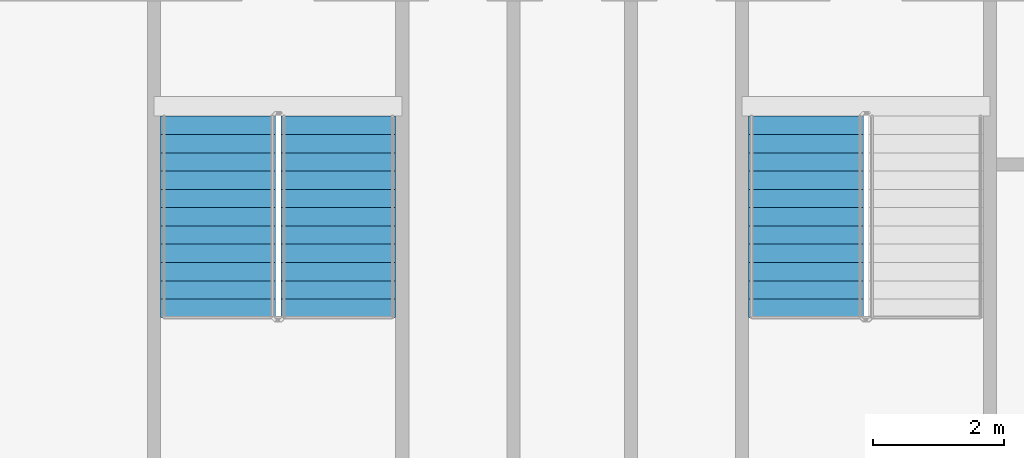
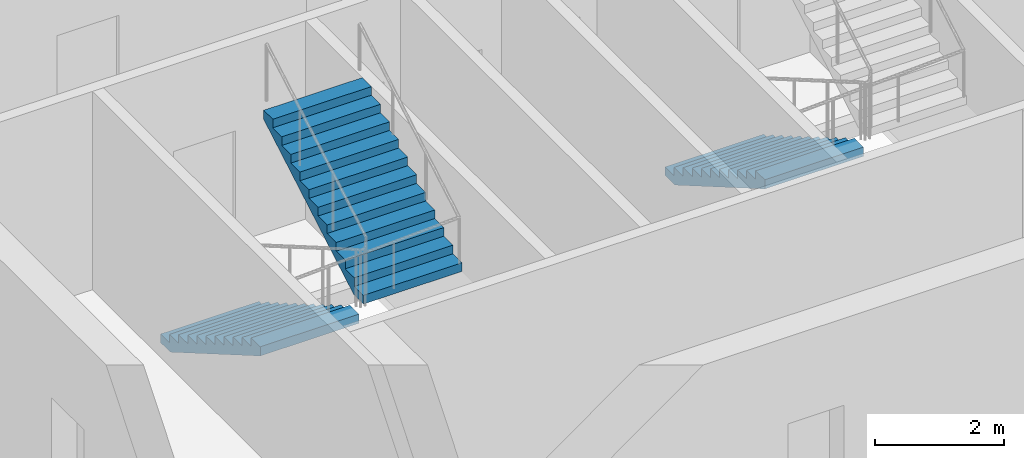
# One storey, part 7 of 14: 3 stair flights, 2 elements without a shape of their own.
"""IFC4 building model written with IfcOpenShell, lengths in metres."""

from ifc_helpers import new_model, si_unit, direction, frame, origin, place, context, subcontext, project, spatial, faceted_brep, material, type_object, element, aggregate, save


model = new_model("IFC4")

# Units and contexts
model_context = context("Model", 3, precision=1e-05, world=origin(), true_north=direction((0.0, 1.0)))
body_context = subcontext(model_context, "Body", "Model", "MODEL_VIEW")
ifc_project = project(units=[si_unit("LENGTHUNIT", "METRE"), si_unit("AREAUNIT", "SQUARE_METRE"), si_unit("VOLUMEUNIT", "CUBIC_METRE"), si_unit("PLANEANGLEUNIT", "RADIAN"), si_unit("MASSUNIT", "GRAM", prefix="KILO")], contexts=[model_context])

# Site, building, storey
site_placement = place(None, origin())
site = spatial("IfcSite", under=ifc_project, at=site_placement, CompositionType="ELEMENT")
building_placement = place(site_placement, origin())
building = spatial("IfcBuilding", under=site, at=building_placement, Name="Tarsis Ring Headquarters", CompositionType="ELEMENT")
storey_placement = place(building_placement, frame((0.0, 0.0, 311.89990234375)))
storey = spatial("IfcBuildingStorey", under=building, at=storey_placement, Name="L73", CompositionType="ELEMENT", Elevation=311.89990234375)

# Stair, stair flights
ifc_material_1 = material(Name="Core stair 1760")
stair_type = type_object("IfcStairType", Name="Core stair 1760", PredefinedType="HALF_TURN_STAIR", material=ifc_material_1)
stair_1_placement = place(storey_placement, origin())
stair_1 = element("IfcStair", 1, at=stair_1_placement, inside=storey, type_object=stair_type, Name="L73 Exit stair C", PredefinedType="HALF_TURN_STAIR")
ifc_material_2 = material(Name="Concrete C40/50", Category="concrete")
stair_flight_type = type_object("IfcStairFlightType", Name="Core stair flight 1760", PredefinedType="STRAIGHT", material=ifc_material_2)
stair_flight_1_placement = place(storey_placement, frame((-5.419921875, -3.659912109375, 0.0), z_axis=(0.0, 0.0, 1.0), x_axis=(0.0, -1.0, 0.0)))
stair_flight_1 = element("IfcStairFlight", 2, at=stair_flight_1_placement, type_object=stair_flight_type, Name="Stair ST3 flight 1", NumberOfRisers=12, NumberOfTreads=11, PredefinedType="STRAIGHT", RiserHeight=0.1625, TreadLength=0.28, context=body_context, shape_type="Brep", body=[
    faceted_brep([(0.0, 0.8798828125, 0.0), (0.0, 0.8798828125, 0.16259765625), (0.280029296875, 0.8798828125, 0.16259765625), (0.280029296875, 0.8798828125, 0.324951171875), (0.56005859375, 0.8798828125, 0.324951171875), (0.56005859375, 0.8798828125, 0.487548828125), (0.840087890625, 0.8798828125, 0.487548828125), (0.840087890625, 0.8798828125, 0.64990234375), (1.1201171875, 0.8798828125, 0.64990234375), (1.1201171875, 0.8798828125, 0.8125), (1.39990234375, 0.8798828125, 0.8125), (1.39990234375, 0.8798828125, 0.97509765625), (1.679931640625, 0.8798828125, 0.97509765625), (1.679931640625, 0.8798828125, 1.137451171875), (1.9599609375, 0.8798828125, 1.137451171875), (1.9599609375, 0.8798828125, 1.300048828125), (2.239990234375, 0.8798828125, 1.300048828125), (2.239990234375, 0.8798828125, 1.46240234375), (2.52001953125, 0.8798828125, 1.46240234375), (2.52001953125, 0.8798828125, 1.625), (2.800048828125, 0.8798828125, 1.625), (2.800048828125, 0.8798828125, 1.78759765625), (3.080078125, 0.8798828125, 1.78759765625), (3.080078125, 0.8798828125, 1.6142578125), (0.298583984375, 0.8798828125, 0.0), (0.298583984375, -0.8798828125, 0.0), (3.080078125, -0.8798828125, 1.6142578125), (3.080078125, -0.8798828125, 1.78759765625), (2.800048828125, -0.8798828125, 1.78759765625), (2.800048828125, -0.8798828125, 1.625), (2.52001953125, -0.8798828125, 1.625), (2.52001953125, -0.8798828125, 1.46240234375), (2.239990234375, -0.8798828125, 1.46240234375), (2.239990234375, -0.8798828125, 1.300048828125), (1.9599609375, -0.8798828125, 1.300048828125), (1.9599609375, -0.8798828125, 1.137451171875), (1.679931640625, -0.8798828125, 1.137451171875), (1.679931640625, -0.8798828125, 0.97509765625), (1.39990234375, -0.8798828125, 0.97509765625), (1.39990234375, -0.8798828125, 0.8125), (1.1201171875, -0.8798828125, 0.8125), (1.1201171875, -0.8798828125, 0.64990234375), (0.840087890625, -0.8798828125, 0.64990234375), (0.840087890625, -0.8798828125, 0.487548828125), (0.56005859375, -0.8798828125, 0.487548828125), (0.56005859375, -0.8798828125, 0.324951171875), (0.280029296875, -0.8798828125, 0.324951171875), (0.280029296875, -0.8798828125, 0.16259765625), (0.0, -0.8798828125, 0.16259765625), (0.0, -0.8798828125, 0.0), (0.0, -0.43994140625, 0.16259765625), (0.0, -0.43994140625, 0.0), (0.0, 0.0, 0.16259765625), (0.0, 0.0, 0.0), (0.0, 0.43994140625, 0.16259765625), (0.0, 0.43994140625, 0.0), (0.280029296875, -0.43994140625, 0.16259765625), (0.280029296875, 0.0, 0.16259765625), (0.280029296875, 0.43994140625, 0.16259765625), (0.280029296875, -0.43994140625, 0.324951171875), (0.280029296875, 0.0, 0.324951171875), (0.280029296875, 0.43994140625, 0.324951171875), (0.56005859375, -0.43994140625, 0.324951171875), (0.56005859375, 0.0, 0.324951171875), (0.56005859375, 0.43994140625, 0.324951171875), (0.56005859375, -0.43994140625, 0.487548828125), (0.56005859375, 0.0, 0.487548828125), (0.56005859375, 0.43994140625, 0.487548828125), (0.840087890625, -0.43994140625, 0.487548828125), (0.840087890625, 0.0, 0.487548828125), (0.840087890625, 0.43994140625, 0.487548828125), (0.840087890625, -0.43994140625, 0.64990234375), (0.840087890625, 0.0, 0.64990234375), (0.840087890625, 0.43994140625, 0.64990234375), (1.1201171875, -0.43994140625, 0.64990234375), (1.1201171875, 0.0, 0.64990234375), (1.1201171875, 0.43994140625, 0.64990234375), (1.1201171875, -0.43994140625, 0.8125), (1.1201171875, 0.0, 0.8125), (1.1201171875, 0.43994140625, 0.8125), (1.39990234375, -0.43994140625, 0.8125), (1.39990234375, 0.0, 0.8125), (1.39990234375, 0.43994140625, 0.8125), (1.39990234375, -0.43994140625, 0.97509765625), (1.39990234375, 0.0, 0.97509765625), (1.39990234375, 0.43994140625, 0.97509765625), (1.679931640625, -0.43994140625, 0.97509765625), (1.679931640625, 0.0, 0.97509765625), (1.679931640625, 0.43994140625, 0.97509765625), (1.679931640625, -0.43994140625, 1.137451171875), (1.679931640625, 0.0, 1.137451171875), (1.679931640625, 0.43994140625, 1.137451171875), (1.9599609375, -0.43994140625, 1.137451171875), (1.9599609375, 0.0, 1.137451171875), (1.9599609375, 0.43994140625, 1.137451171875), (1.9599609375, -0.43994140625, 1.300048828125), (1.9599609375, 0.0, 1.300048828125), (1.9599609375, 0.43994140625, 1.300048828125), (2.239990234375, -0.43994140625, 1.300048828125), (2.239990234375, 0.0, 1.300048828125), (2.239990234375, 0.43994140625, 1.300048828125), (2.239990234375, -0.43994140625, 1.46240234375), (2.239990234375, 0.0, 1.46240234375), (2.239990234375, 0.43994140625, 1.46240234375), (2.52001953125, -0.43994140625, 1.46240234375), (2.52001953125, 0.0, 1.46240234375), (2.52001953125, 0.43994140625, 1.46240234375), (2.52001953125, -0.43994140625, 1.625), (2.52001953125, 0.0, 1.625), (2.52001953125, 0.43994140625, 1.625), (2.800048828125, -0.43994140625, 1.625), (2.800048828125, 0.0, 1.625), (2.800048828125, 0.43994140625, 1.625), (2.800048828125, -0.43994140625, 1.78759765625), (2.800048828125, 0.0, 1.78759765625), (2.800048828125, 0.43994140625, 1.78759765625), (3.080078125, -0.43994140625, 1.78759765625), (3.080078125, 0.0, 1.78759765625), (3.080078125, 0.43994140625, 1.78759765625), (3.080078125, -0.43994140625, 1.6142578125), (3.080078125, 0.0, 1.6142578125), (3.080078125, 0.43994140625, 1.6142578125), (0.298583984375, -0.43994140625, 0.0), (0.298583984375, 0.0, 0.0), (0.298583984375, 0.43994140625, 0.0)], [[[0, 1, 2, 3, 4, 5, 6, 7, 8, 9, 10, 11, 12, 13, 14, 15, 16, 17, 18, 19, 20, 21, 22, 23, 24]], [[25, 26, 27, 28, 29, 30, 31, 32, 33, 34, 35, 36, 37, 38, 39, 40, 41, 42, 43, 44, 45, 46, 47, 48, 49]], [[49, 48, 50, 51]], [[51, 50, 52, 53]], [[53, 52, 54, 55]], [[55, 54, 1, 0]], [[48, 47, 56, 50]], [[50, 56, 57, 52]], [[52, 57, 58, 54]], [[54, 58, 2, 1]], [[47, 46, 59, 56]], [[56, 59, 60, 57]], [[57, 60, 61, 58]], [[58, 61, 3, 2]], [[46, 45, 62, 59]], [[59, 62, 63, 60]], [[60, 63, 64, 61]], [[61, 64, 4, 3]], [[45, 44, 65, 62]], [[62, 65, 66, 63]], [[63, 66, 67, 64]], [[64, 67, 5, 4]], [[44, 43, 68, 65]], [[65, 68, 69, 66]], [[66, 69, 70, 67]], [[67, 70, 6, 5]], [[43, 42, 71, 68]], [[68, 71, 72, 69]], [[69, 72, 73, 70]], [[70, 73, 7, 6]], [[42, 41, 74, 71]], [[71, 74, 75, 72]], [[72, 75, 76, 73]], [[73, 76, 8, 7]], [[41, 40, 77, 74]], [[74, 77, 78, 75]], [[75, 78, 79, 76]], [[76, 79, 9, 8]], [[40, 39, 80, 77]], [[77, 80, 81, 78]], [[78, 81, 82, 79]], [[79, 82, 10, 9]], [[39, 38, 83, 80]], [[80, 83, 84, 81]], [[81, 84, 85, 82]], [[82, 85, 11, 10]], [[38, 37, 86, 83]], [[83, 86, 87, 84]], [[84, 87, 88, 85]], [[85, 88, 12, 11]], [[37, 36, 89, 86]], [[86, 89, 90, 87]], [[87, 90, 91, 88]], [[88, 91, 13, 12]], [[36, 35, 92, 89]], [[89, 92, 93, 90]], [[90, 93, 94, 91]], [[91, 94, 14, 13]], [[35, 34, 95, 92]], [[92, 95, 96, 93]], [[93, 96, 97, 94]], [[94, 97, 15, 14]], [[34, 33, 98, 95]], [[95, 98, 99, 96]], [[96, 99, 100, 97]], [[97, 100, 16, 15]], [[33, 32, 101, 98]], [[98, 101, 102, 99]], [[99, 102, 103, 100]], [[100, 103, 17, 16]], [[32, 31, 104, 101]], [[101, 104, 105, 102]], [[102, 105, 106, 103]], [[103, 106, 18, 17]], [[31, 30, 107, 104]], [[104, 107, 108, 105]], [[105, 108, 109, 106]], [[106, 109, 19, 18]], [[30, 29, 110, 107]], [[107, 110, 111, 108]], [[108, 111, 112, 109]], [[109, 112, 20, 19]], [[29, 28, 113, 110]], [[110, 113, 114, 111]], [[111, 114, 115, 112]], [[112, 115, 21, 20]], [[28, 27, 116, 113]], [[113, 116, 117, 114]], [[114, 117, 118, 115]], [[115, 118, 22, 21]], [[27, 26, 119, 116]], [[116, 119, 120, 117]], [[117, 120, 121, 118]], [[118, 121, 23, 22]], [[26, 25, 122, 119]], [[119, 122, 123, 120]], [[120, 123, 124, 121]], [[121, 124, 24, 23]], [[25, 49, 51, 122]], [[122, 51, 53, 123]], [[123, 53, 55, 124]], [[124, 55, 0, 24]]]),
])
stair_flight_2_placement = place(storey_placement, frame((-3.580078125, -6.739990234375, 1.9501953125), z_axis=(0.0, 0.0, 1.0), x_axis=(0.0, 1.0, 0.0)))
stair_flight_2 = element("IfcStairFlight", 3, at=stair_flight_2_placement, type_object=stair_flight_type, Name="Stair ST3 flight 2", NumberOfRisers=12, NumberOfTreads=11, PredefinedType="STRAIGHT", RiserHeight=0.1625, TreadLength=0.28, context=body_context, shape_type="Brep", body=[
    faceted_brep([(0.0, 0.8798828125, 0.0), (0.0, 0.8798828125, 0.16259765625), (0.280029296875, 0.8798828125, 0.16259765625), (0.280029296875, 0.8798828125, 0.324951171875), (0.56005859375, 0.8798828125, 0.324951171875), (0.56005859375, 0.8798828125, 0.487548828125), (0.840087890625, 0.8798828125, 0.487548828125), (0.840087890625, 0.8798828125, 0.64990234375), (1.1201171875, 0.8798828125, 0.64990234375), (1.1201171875, 0.8798828125, 0.8125), (1.39990234375, 0.8798828125, 0.8125), (1.39990234375, 0.8798828125, 0.97509765625), (1.679931640625, 0.8798828125, 0.97509765625), (1.679931640625, 0.8798828125, 1.137451171875), (1.9599609375, 0.8798828125, 1.137451171875), (1.9599609375, 0.8798828125, 1.300048828125), (2.239990234375, 0.8798828125, 1.300048828125), (2.239990234375, 0.8798828125, 1.46240234375), (2.52001953125, 0.8798828125, 1.46240234375), (2.52001953125, 0.8798828125, 1.625), (2.800048828125, 0.8798828125, 1.625), (2.800048828125, 0.8798828125, 1.78759765625), (3.080078125, 0.8798828125, 1.78759765625), (3.080078125, 0.8798828125, 1.6142578125), (0.298583984375, 0.8798828125, 0.0), (0.298583984375, -0.8798828125, 0.0), (3.080078125, -0.8798828125, 1.6142578125), (3.080078125, -0.8798828125, 1.78759765625), (2.800048828125, -0.8798828125, 1.78759765625), (2.800048828125, -0.8798828125, 1.625), (2.52001953125, -0.8798828125, 1.625), (2.52001953125, -0.8798828125, 1.46240234375), (2.239990234375, -0.8798828125, 1.46240234375), (2.239990234375, -0.8798828125, 1.300048828125), (1.9599609375, -0.8798828125, 1.300048828125), (1.9599609375, -0.8798828125, 1.137451171875), (1.679931640625, -0.8798828125, 1.137451171875), (1.679931640625, -0.8798828125, 0.97509765625), (1.39990234375, -0.8798828125, 0.97509765625), (1.39990234375, -0.8798828125, 0.8125), (1.1201171875, -0.8798828125, 0.8125), (1.1201171875, -0.8798828125, 0.64990234375), (0.840087890625, -0.8798828125, 0.64990234375), (0.840087890625, -0.8798828125, 0.487548828125), (0.56005859375, -0.8798828125, 0.487548828125), (0.56005859375, -0.8798828125, 0.324951171875), (0.280029296875, -0.8798828125, 0.324951171875), (0.280029296875, -0.8798828125, 0.16259765625), (0.0, -0.8798828125, 0.16259765625), (0.0, -0.8798828125, 0.0), (0.0, -0.43994140625, 0.16259765625), (0.0, -0.43994140625, 0.0), (0.0, 0.0, 0.16259765625), (0.0, 0.0, 0.0), (0.0, 0.43994140625, 0.16259765625), (0.0, 0.43994140625, 0.0), (0.280029296875, -0.43994140625, 0.16259765625), (0.280029296875, 0.0, 0.16259765625), (0.280029296875, 0.43994140625, 0.16259765625), (0.280029296875, -0.43994140625, 0.324951171875), (0.280029296875, 0.0, 0.324951171875), (0.280029296875, 0.43994140625, 0.324951171875), (0.56005859375, -0.43994140625, 0.324951171875), (0.56005859375, 0.0, 0.324951171875), (0.56005859375, 0.43994140625, 0.324951171875), (0.56005859375, -0.43994140625, 0.487548828125), (0.56005859375, 0.0, 0.487548828125), (0.56005859375, 0.43994140625, 0.487548828125), (0.840087890625, -0.43994140625, 0.487548828125), (0.840087890625, 0.0, 0.487548828125), (0.840087890625, 0.43994140625, 0.487548828125), (0.840087890625, -0.43994140625, 0.64990234375), (0.840087890625, 0.0, 0.64990234375), (0.840087890625, 0.43994140625, 0.64990234375), (1.1201171875, -0.43994140625, 0.64990234375), (1.1201171875, 0.0, 0.64990234375), (1.1201171875, 0.43994140625, 0.64990234375), (1.1201171875, -0.43994140625, 0.8125), (1.1201171875, 0.0, 0.8125), (1.1201171875, 0.43994140625, 0.8125), (1.39990234375, -0.43994140625, 0.8125), (1.39990234375, 0.0, 0.8125), (1.39990234375, 0.43994140625, 0.8125), (1.39990234375, -0.43994140625, 0.97509765625), (1.39990234375, 0.0, 0.97509765625), (1.39990234375, 0.43994140625, 0.97509765625), (1.679931640625, -0.43994140625, 0.97509765625), (1.679931640625, 0.0, 0.97509765625), (1.679931640625, 0.43994140625, 0.97509765625), (1.679931640625, -0.43994140625, 1.137451171875), (1.679931640625, 0.0, 1.137451171875), (1.679931640625, 0.43994140625, 1.137451171875), (1.9599609375, -0.43994140625, 1.137451171875), (1.9599609375, 0.0, 1.137451171875), (1.9599609375, 0.43994140625, 1.137451171875), (1.9599609375, -0.43994140625, 1.300048828125), (1.9599609375, 0.0, 1.300048828125), (1.9599609375, 0.43994140625, 1.300048828125), (2.239990234375, -0.43994140625, 1.300048828125), (2.239990234375, 0.0, 1.300048828125), (2.239990234375, 0.43994140625, 1.300048828125), (2.239990234375, -0.43994140625, 1.46240234375), (2.239990234375, 0.0, 1.46240234375), (2.239990234375, 0.43994140625, 1.46240234375), (2.52001953125, -0.43994140625, 1.46240234375), (2.52001953125, 0.0, 1.46240234375), (2.52001953125, 0.43994140625, 1.46240234375), (2.52001953125, -0.43994140625, 1.625), (2.52001953125, 0.0, 1.625), (2.52001953125, 0.43994140625, 1.625), (2.800048828125, -0.43994140625, 1.625), (2.800048828125, 0.0, 1.625), (2.800048828125, 0.43994140625, 1.625), (2.800048828125, -0.43994140625, 1.78759765625), (2.800048828125, 0.0, 1.78759765625), (2.800048828125, 0.43994140625, 1.78759765625), (3.080078125, -0.43994140625, 1.78759765625), (3.080078125, 0.0, 1.78759765625), (3.080078125, 0.43994140625, 1.78759765625), (3.080078125, -0.43994140625, 1.6142578125), (3.080078125, 0.0, 1.6142578125), (3.080078125, 0.43994140625, 1.6142578125), (0.298583984375, -0.43994140625, 0.0), (0.298583984375, 0.0, 0.0), (0.298583984375, 0.43994140625, 0.0)], [[[0, 1, 2, 3, 4, 5, 6, 7, 8, 9, 10, 11, 12, 13, 14, 15, 16, 17, 18, 19, 20, 21, 22, 23, 24]], [[25, 26, 27, 28, 29, 30, 31, 32, 33, 34, 35, 36, 37, 38, 39, 40, 41, 42, 43, 44, 45, 46, 47, 48, 49]], [[49, 48, 50, 51]], [[51, 50, 52, 53]], [[53, 52, 54, 55]], [[55, 54, 1, 0]], [[48, 47, 56, 50]], [[50, 56, 57, 52]], [[52, 57, 58, 54]], [[54, 58, 2, 1]], [[47, 46, 59, 56]], [[56, 59, 60, 57]], [[57, 60, 61, 58]], [[58, 61, 3, 2]], [[46, 45, 62, 59]], [[59, 62, 63, 60]], [[60, 63, 64, 61]], [[61, 64, 4, 3]], [[45, 44, 65, 62]], [[62, 65, 66, 63]], [[63, 66, 67, 64]], [[64, 67, 5, 4]], [[44, 43, 68, 65]], [[65, 68, 69, 66]], [[66, 69, 70, 67]], [[67, 70, 6, 5]], [[43, 42, 71, 68]], [[68, 71, 72, 69]], [[69, 72, 73, 70]], [[70, 73, 7, 6]], [[42, 41, 74, 71]], [[71, 74, 75, 72]], [[72, 75, 76, 73]], [[73, 76, 8, 7]], [[41, 40, 77, 74]], [[74, 77, 78, 75]], [[75, 78, 79, 76]], [[76, 79, 9, 8]], [[40, 39, 80, 77]], [[77, 80, 81, 78]], [[78, 81, 82, 79]], [[79, 82, 10, 9]], [[39, 38, 83, 80]], [[80, 83, 84, 81]], [[81, 84, 85, 82]], [[82, 85, 11, 10]], [[38, 37, 86, 83]], [[83, 86, 87, 84]], [[84, 87, 88, 85]], [[85, 88, 12, 11]], [[37, 36, 89, 86]], [[86, 89, 90, 87]], [[87, 90, 91, 88]], [[88, 91, 13, 12]], [[36, 35, 92, 89]], [[89, 92, 93, 90]], [[90, 93, 94, 91]], [[91, 94, 14, 13]], [[35, 34, 95, 92]], [[92, 95, 96, 93]], [[93, 96, 97, 94]], [[94, 97, 15, 14]], [[34, 33, 98, 95]], [[95, 98, 99, 96]], [[96, 99, 100, 97]], [[97, 100, 16, 15]], [[33, 32, 101, 98]], [[98, 101, 102, 99]], [[99, 102, 103, 100]], [[100, 103, 17, 16]], [[32, 31, 104, 101]], [[101, 104, 105, 102]], [[102, 105, 106, 103]], [[103, 106, 18, 17]], [[31, 30, 107, 104]], [[104, 107, 108, 105]], [[105, 108, 109, 106]], [[106, 109, 19, 18]], [[30, 29, 110, 107]], [[107, 110, 111, 108]], [[108, 111, 112, 109]], [[109, 112, 20, 19]], [[29, 28, 113, 110]], [[110, 113, 114, 111]], [[111, 114, 115, 112]], [[112, 115, 21, 20]], [[28, 27, 116, 113]], [[113, 116, 117, 114]], [[114, 117, 118, 115]], [[115, 118, 22, 21]], [[27, 26, 119, 116]], [[116, 119, 120, 117]], [[117, 120, 121, 118]], [[118, 121, 23, 22]], [[26, 25, 122, 119]], [[119, 122, 123, 120]], [[120, 123, 124, 121]], [[121, 124, 24, 23]], [[25, 49, 51, 122]], [[122, 51, 53, 123]], [[123, 53, 55, 124]], [[124, 55, 0, 24]]]),
])
aggregate(stair_1, [stair_flight_1, stair_flight_2])

# Stair, stair flight
stair_2_placement = place(storey_placement, origin())
stair_2 = element("IfcStair", 4, at=stair_2_placement, inside=storey, type_object=stair_type, Name="L73 Exit stair D", PredefinedType="HALF_TURN_STAIR")
stair_flight_3_placement = place(storey_placement, frame((3.580078125, -3.659912109375, 0.0), z_axis=(0.0, 0.0, 1.0), x_axis=(0.0, -1.0, 0.0)))
stair_flight_3 = element("IfcStairFlight", 5, at=stair_flight_3_placement, type_object=stair_flight_type, Name="Stair ST4 flight 1", NumberOfRisers=12, NumberOfTreads=11, PredefinedType="STRAIGHT", RiserHeight=0.1625, TreadLength=0.28, context=body_context, shape_type="Brep", body=[
    faceted_brep([(0.0, 0.8798828125, 0.0), (0.0, 0.8798828125, 0.16259765625), (0.280029296875, 0.8798828125, 0.16259765625), (0.280029296875, 0.8798828125, 0.324951171875), (0.56005859375, 0.8798828125, 0.324951171875), (0.56005859375, 0.8798828125, 0.487548828125), (0.840087890625, 0.8798828125, 0.487548828125), (0.840087890625, 0.8798828125, 0.64990234375), (1.1201171875, 0.8798828125, 0.64990234375), (1.1201171875, 0.8798828125, 0.8125), (1.39990234375, 0.8798828125, 0.8125), (1.39990234375, 0.8798828125, 0.97509765625), (1.679931640625, 0.8798828125, 0.97509765625), (1.679931640625, 0.8798828125, 1.137451171875), (1.9599609375, 0.8798828125, 1.137451171875), (1.9599609375, 0.8798828125, 1.300048828125), (2.239990234375, 0.8798828125, 1.300048828125), (2.239990234375, 0.8798828125, 1.46240234375), (2.52001953125, 0.8798828125, 1.46240234375), (2.52001953125, 0.8798828125, 1.625), (2.800048828125, 0.8798828125, 1.625), (2.800048828125, 0.8798828125, 1.78759765625), (3.080078125, 0.8798828125, 1.78759765625), (3.080078125, 0.8798828125, 1.6142578125), (0.298583984375, 0.8798828125, 0.0), (0.298583984375, -0.8798828125, 0.0), (3.080078125, -0.8798828125, 1.6142578125), (3.080078125, -0.8798828125, 1.78759765625), (2.800048828125, -0.8798828125, 1.78759765625), (2.800048828125, -0.8798828125, 1.625), (2.52001953125, -0.8798828125, 1.625), (2.52001953125, -0.8798828125, 1.46240234375), (2.239990234375, -0.8798828125, 1.46240234375), (2.239990234375, -0.8798828125, 1.300048828125), (1.9599609375, -0.8798828125, 1.300048828125), (1.9599609375, -0.8798828125, 1.137451171875), (1.679931640625, -0.8798828125, 1.137451171875), (1.679931640625, -0.8798828125, 0.97509765625), (1.39990234375, -0.8798828125, 0.97509765625), (1.39990234375, -0.8798828125, 0.8125), (1.1201171875, -0.8798828125, 0.8125), (1.1201171875, -0.8798828125, 0.64990234375), (0.840087890625, -0.8798828125, 0.64990234375), (0.840087890625, -0.8798828125, 0.487548828125), (0.56005859375, -0.8798828125, 0.487548828125), (0.56005859375, -0.8798828125, 0.324951171875), (0.280029296875, -0.8798828125, 0.324951171875), (0.280029296875, -0.8798828125, 0.16259765625), (0.0, -0.8798828125, 0.16259765625), (0.0, -0.8798828125, 0.0), (0.0, -0.43994140625, 0.16259765625), (0.0, -0.43994140625, 0.0), (0.0, 0.0, 0.16259765625), (0.0, 0.0, 0.0), (0.0, 0.43994140625, 0.16259765625), (0.0, 0.43994140625, 0.0), (0.280029296875, -0.43994140625, 0.16259765625), (0.280029296875, 0.0, 0.16259765625), (0.280029296875, 0.43994140625, 0.16259765625), (0.280029296875, -0.43994140625, 0.324951171875), (0.280029296875, 0.0, 0.324951171875), (0.280029296875, 0.43994140625, 0.324951171875), (0.56005859375, -0.43994140625, 0.324951171875), (0.56005859375, 0.0, 0.324951171875), (0.56005859375, 0.43994140625, 0.324951171875), (0.56005859375, -0.43994140625, 0.487548828125), (0.56005859375, 0.0, 0.487548828125), (0.56005859375, 0.43994140625, 0.487548828125), (0.840087890625, -0.43994140625, 0.487548828125), (0.840087890625, 0.0, 0.487548828125), (0.840087890625, 0.43994140625, 0.487548828125), (0.840087890625, -0.43994140625, 0.64990234375), (0.840087890625, 0.0, 0.64990234375), (0.840087890625, 0.43994140625, 0.64990234375), (1.1201171875, -0.43994140625, 0.64990234375), (1.1201171875, 0.0, 0.64990234375), (1.1201171875, 0.43994140625, 0.64990234375), (1.1201171875, -0.43994140625, 0.8125), (1.1201171875, 0.0, 0.8125), (1.1201171875, 0.43994140625, 0.8125), (1.39990234375, -0.43994140625, 0.8125), (1.39990234375, 0.0, 0.8125), (1.39990234375, 0.43994140625, 0.8125), (1.39990234375, -0.43994140625, 0.97509765625), (1.39990234375, 0.0, 0.97509765625), (1.39990234375, 0.43994140625, 0.97509765625), (1.679931640625, -0.43994140625, 0.97509765625), (1.679931640625, 0.0, 0.97509765625), (1.679931640625, 0.43994140625, 0.97509765625), (1.679931640625, -0.43994140625, 1.137451171875), (1.679931640625, 0.0, 1.137451171875), (1.679931640625, 0.43994140625, 1.137451171875), (1.9599609375, -0.43994140625, 1.137451171875), (1.9599609375, 0.0, 1.137451171875), (1.9599609375, 0.43994140625, 1.137451171875), (1.9599609375, -0.43994140625, 1.300048828125), (1.9599609375, 0.0, 1.300048828125), (1.9599609375, 0.43994140625, 1.300048828125), (2.239990234375, -0.43994140625, 1.300048828125), (2.239990234375, 0.0, 1.300048828125), (2.239990234375, 0.43994140625, 1.300048828125), (2.239990234375, -0.43994140625, 1.46240234375), (2.239990234375, 0.0, 1.46240234375), (2.239990234375, 0.43994140625, 1.46240234375), (2.52001953125, -0.43994140625, 1.46240234375), (2.52001953125, 0.0, 1.46240234375), (2.52001953125, 0.43994140625, 1.46240234375), (2.52001953125, -0.43994140625, 1.625), (2.52001953125, 0.0, 1.625), (2.52001953125, 0.43994140625, 1.625), (2.800048828125, -0.43994140625, 1.625), (2.800048828125, 0.0, 1.625), (2.800048828125, 0.43994140625, 1.625), (2.800048828125, -0.43994140625, 1.78759765625), (2.800048828125, 0.0, 1.78759765625), (2.800048828125, 0.43994140625, 1.78759765625), (3.080078125, -0.43994140625, 1.78759765625), (3.080078125, 0.0, 1.78759765625), (3.080078125, 0.43994140625, 1.78759765625), (3.080078125, -0.43994140625, 1.6142578125), (3.080078125, 0.0, 1.6142578125), (3.080078125, 0.43994140625, 1.6142578125), (0.298583984375, -0.43994140625, 0.0), (0.298583984375, 0.0, 0.0), (0.298583984375, 0.43994140625, 0.0)], [[[0, 1, 2, 3, 4, 5, 6, 7, 8, 9, 10, 11, 12, 13, 14, 15, 16, 17, 18, 19, 20, 21, 22, 23, 24]], [[25, 26, 27, 28, 29, 30, 31, 32, 33, 34, 35, 36, 37, 38, 39, 40, 41, 42, 43, 44, 45, 46, 47, 48, 49]], [[49, 48, 50, 51]], [[51, 50, 52, 53]], [[53, 52, 54, 55]], [[55, 54, 1, 0]], [[48, 47, 56, 50]], [[50, 56, 57, 52]], [[52, 57, 58, 54]], [[54, 58, 2, 1]], [[47, 46, 59, 56]], [[56, 59, 60, 57]], [[57, 60, 61, 58]], [[58, 61, 3, 2]], [[46, 45, 62, 59]], [[59, 62, 63, 60]], [[60, 63, 64, 61]], [[61, 64, 4, 3]], [[45, 44, 65, 62]], [[62, 65, 66, 63]], [[63, 66, 67, 64]], [[64, 67, 5, 4]], [[44, 43, 68, 65]], [[65, 68, 69, 66]], [[66, 69, 70, 67]], [[67, 70, 6, 5]], [[43, 42, 71, 68]], [[68, 71, 72, 69]], [[69, 72, 73, 70]], [[70, 73, 7, 6]], [[42, 41, 74, 71]], [[71, 74, 75, 72]], [[72, 75, 76, 73]], [[73, 76, 8, 7]], [[41, 40, 77, 74]], [[74, 77, 78, 75]], [[75, 78, 79, 76]], [[76, 79, 9, 8]], [[40, 39, 80, 77]], [[77, 80, 81, 78]], [[78, 81, 82, 79]], [[79, 82, 10, 9]], [[39, 38, 83, 80]], [[80, 83, 84, 81]], [[81, 84, 85, 82]], [[82, 85, 11, 10]], [[38, 37, 86, 83]], [[83, 86, 87, 84]], [[84, 87, 88, 85]], [[85, 88, 12, 11]], [[37, 36, 89, 86]], [[86, 89, 90, 87]], [[87, 90, 91, 88]], [[88, 91, 13, 12]], [[36, 35, 92, 89]], [[89, 92, 93, 90]], [[90, 93, 94, 91]], [[91, 94, 14, 13]], [[35, 34, 95, 92]], [[92, 95, 96, 93]], [[93, 96, 97, 94]], [[94, 97, 15, 14]], [[34, 33, 98, 95]], [[95, 98, 99, 96]], [[96, 99, 100, 97]], [[97, 100, 16, 15]], [[33, 32, 101, 98]], [[98, 101, 102, 99]], [[99, 102, 103, 100]], [[100, 103, 17, 16]], [[32, 31, 104, 101]], [[101, 104, 105, 102]], [[102, 105, 106, 103]], [[103, 106, 18, 17]], [[31, 30, 107, 104]], [[104, 107, 108, 105]], [[105, 108, 109, 106]], [[106, 109, 19, 18]], [[30, 29, 110, 107]], [[107, 110, 111, 108]], [[108, 111, 112, 109]], [[109, 112, 20, 19]], [[29, 28, 113, 110]], [[110, 113, 114, 111]], [[111, 114, 115, 112]], [[112, 115, 21, 20]], [[28, 27, 116, 113]], [[113, 116, 117, 114]], [[114, 117, 118, 115]], [[115, 118, 22, 21]], [[27, 26, 119, 116]], [[116, 119, 120, 117]], [[117, 120, 121, 118]], [[118, 121, 23, 22]], [[26, 25, 122, 119]], [[119, 122, 123, 120]], [[120, 123, 124, 121]], [[121, 124, 24, 23]], [[25, 49, 51, 122]], [[122, 51, 53, 123]], [[123, 53, 55, 124]], [[124, 55, 0, 24]]]),
])
aggregate(stair_2, [stair_flight_3])

save(model, "model.ifc")
